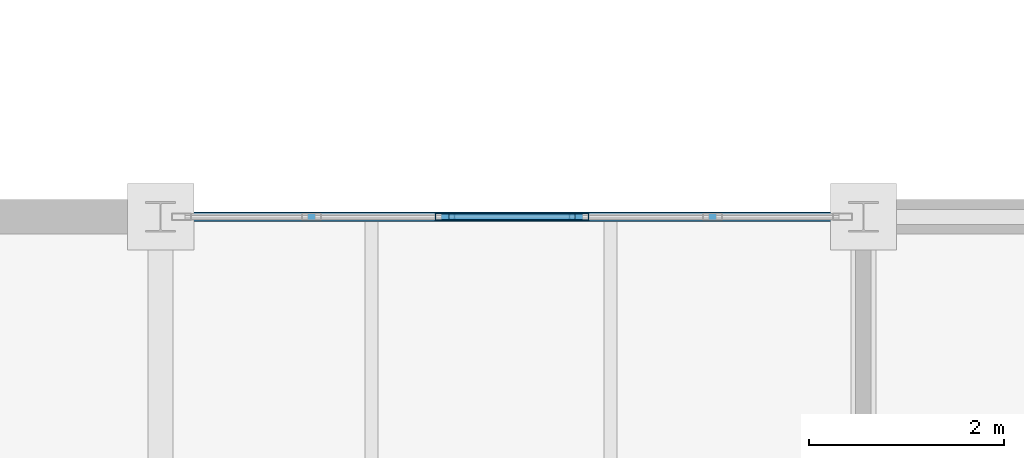
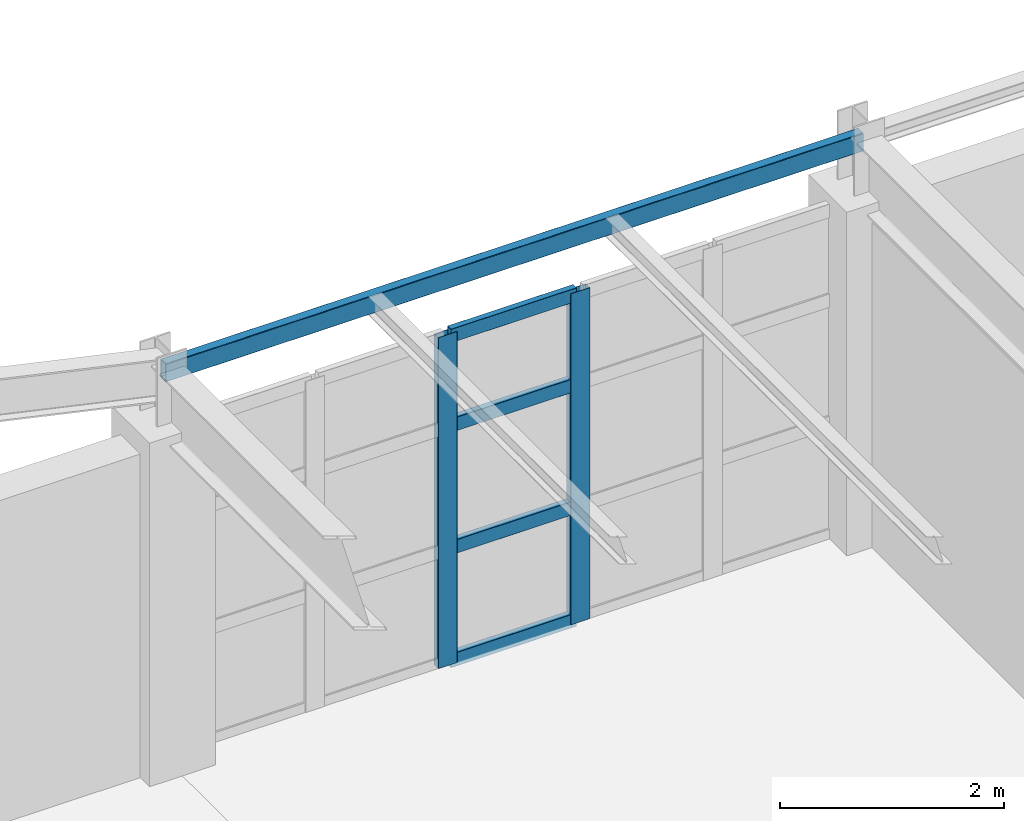
# One storey, part 91 of 137: 6 members, 1 beam, 1 element without a shape of its own.
"""IFC4 building model written with IfcOpenShell, lengths in metres."""

from ifc_helpers import new_model, si_unit, direction, frame, origin, origin_2d, place, context, subcontext, project, spatial, hollow_rectangle, extrude, material, layer, layer_set, material_profile, profile_set, type_object, element, aggregate, save


model = new_model("IFC4")

# Units and contexts
model_context = context("Model", 3, precision=1e-05, world=origin(), true_north=direction((0.0, 1.0)))
body_context = subcontext(model_context, "Body", "Model", "MODEL_VIEW")
ifc_project = project(units=[si_unit("LENGTHUNIT", "METRE"), si_unit("AREAUNIT", "SQUARE_METRE"), si_unit("VOLUMEUNIT", "CUBIC_METRE"), si_unit("PLANEANGLEUNIT", "RADIAN"), si_unit("MASSUNIT", "GRAM", prefix="KILO")], contexts=[model_context])

# Site, building, storey
site_placement = place(None, origin())
site = spatial("IfcSite", under=ifc_project, at=site_placement, CompositionType="ELEMENT")
building_placement = place(site_placement, origin())
building = spatial("IfcBuilding", under=site, at=building_placement, Name="Kemerveld Promenade Tramway Depot", CompositionType="ELEMENT")
storey_placement = place(building_placement, frame((0.0, 0.0, 5.39990234375)))
storey = spatial("IfcBuildingStorey", under=building, at=storey_placement, Name="L01", CompositionType="ELEMENT", Elevation=5.39990234375)

# Beam
ifc_material_1 = material(Name="Steel S355", Category="steel")
ifc_material_profile_1 = material_profile(ifc_material_1, hollow_rectangle(XDim=0.10009765625, YDim=0.199951171875, WallThickness=0.008056640625, InnerFilletRadius=0.00390625, OuterFilletRadius=0.011962890625, at=origin_2d()), Name="200x100x8.0 RHS")
ifc_profile_set_1 = profile_set([ifc_material_profile_1], Name="Steel S355")
beam_type = type_object("IfcBeamType", Name="BM-LN1", PredefinedType="LINTEL", material=ifc_profile_set_1)
beam_placement = place(storey_placement, frame((187.199951171875, 50.39990234375, 4.22021484375), z_axis=(1.0, 0.0, 0.0), x_axis=(0.0, 1.0, 0.0)))
element("IfcBeam", 1, at=beam_placement, inside=storey, type_object=beam_type, Name="BMX-L01-27-28-H", PredefinedType="LINTEL", context=body_context, shape_type="SweptSolid", body=[
    extrude(hollow_rectangle(XDim=0.10009765625, YDim=0.199951171875, WallThickness=0.008056640625, InnerFilletRadius=0.00390625, OuterFilletRadius=0.011962890625, at=origin_2d()), origin(), (0.0, 0.0, 1.0), 7.199951171875),
])

# Curtain wall, members
ifc_material_2 = material(Name="Bronze anodised aluminium and solar glass", Category="aluminium")
ifc_layer = layer(ifc_material_2, 0.199951171875)
ifc_layer_set = layer_set([ifc_layer], Name="CW-SYS-08")
curtain_wall_type = type_object("IfcCurtainWallType", Name="CW-SYS-08", PredefinedType="USERDEFINED", material=ifc_layer_set)
curtain_wall_placement = place(storey_placement, origin())
curtain_wall = element("IfcCurtainWall", 2, at=curtain_wall_placement, inside=storey, type_object=curtain_wall_type, Name="CW-L01-V2N-05", ObjectType="GLAZED_CURTAIN_WALL", PredefinedType="USERDEFINED")
ifc_material_3 = material(Name="Bronze anodised aluminium", Category="aluminium")
ifc_material_profile_2 = material_profile(ifc_material_3, hollow_rectangle(XDim=0.074951171875, YDim=0.199951171875, WallThickness=0.0048828125, InnerFilletRadius=0.001953125, OuterFilletRadius=0.0048828125, at=origin_2d()), Name="CW-MUL-200x75")
ifc_profile_set_2 = profile_set([ifc_material_profile_2], Name="Bronze anodised aluminium")
member_type_1 = type_object("IfcMemberType", Name="CW-MUL-B", PredefinedType="MULLION", material=ifc_profile_set_2)
member_1_placement = place(storey_placement, frame((190.115478515625, 50.39990234375, 0.0), z_axis=(0.0, 0.0, 1.0), x_axis=(0.0, 1.0, 0.0)))
member_1 = element("IfcMember", 3, at=member_1_placement, type_object=member_type_1, Name="CW08 mullion 3", PredefinedType="MULLION", context=body_context, shape_type="SweptSolid", body=[
    extrude(hollow_rectangle(XDim=0.074951171875, YDim=0.199951171875, WallThickness=0.0048828125, InnerFilletRadius=0.001953125, OuterFilletRadius=0.0048828125, at=origin_2d()), origin(), (0.0, 0.0, 1.0), 3.61279296875),
])
member_2_placement = place(storey_placement, frame((191.484619140625, 50.39990234375, 0.0), z_axis=(0.0, 0.0, 1.0), x_axis=(0.0, 1.0, 0.0)))
member_2 = element("IfcMember", 4, at=member_2_placement, type_object=member_type_1, Name="CW08 mullion 4", PredefinedType="MULLION", context=body_context, shape_type="SweptSolid", body=[
    extrude(hollow_rectangle(XDim=0.074951171875, YDim=0.199951171875, WallThickness=0.0048828125, InnerFilletRadius=0.001953125, OuterFilletRadius=0.0048828125, at=origin_2d()), origin(), (0.0, 0.0, 1.0), 3.61279296875),
])
ifc_material_profile_3 = material_profile(ifc_material_3, hollow_rectangle(XDim=0.06494140625, YDim=0.14990234375, WallThickness=0.00439453125, InnerFilletRadius=0.001953125, OuterFilletRadius=0.00439453125, at=origin_2d()), Name="CW-TRN-150x65")
ifc_profile_set_3 = profile_set([ifc_material_profile_3], Name="Bronze anodised aluminium")
member_type_2 = type_object("IfcMemberType", Name="CW-TRN-B", PredefinedType="USERDEFINED", material=ifc_profile_set_3)
member_3_placement = place(storey_placement, frame((190.15283203125, 50.39990234375, 0.03271484375), z_axis=(1.0, 0.0, 0.0), x_axis=(0.0, 1.0, 0.0)))
member_3 = element("IfcMember", 5, at=member_3_placement, type_object=member_type_2, Name="CW08 transom 3.1", ObjectType="TRANSOM", PredefinedType="USERDEFINED", context=body_context, shape_type="SweptSolid", body=[
    extrude(hollow_rectangle(XDim=0.06494140625, YDim=0.14990234375, WallThickness=0.00439453125, InnerFilletRadius=0.001953125, OuterFilletRadius=0.00439453125, at=origin_2d()), origin(), (0.0, 0.0, 1.0), 1.294189453125),
])
member_4_placement = place(storey_placement, frame((190.15283203125, 50.39990234375, 1.26416015625), z_axis=(1.0, 0.0, 0.0), x_axis=(0.0, 1.0, 0.0)))
member_4 = element("IfcMember", 6, at=member_4_placement, type_object=member_type_2, Name="CW08 transom 3.2", ObjectType="TRANSOM", PredefinedType="USERDEFINED", context=body_context, shape_type="SweptSolid", body=[
    extrude(hollow_rectangle(XDim=0.06494140625, YDim=0.14990234375, WallThickness=0.00439453125, InnerFilletRadius=0.001953125, OuterFilletRadius=0.00439453125, at=origin_2d()), origin(), (0.0, 0.0, 1.0), 1.294189453125),
])
member_5_placement = place(storey_placement, frame((190.15283203125, 50.39990234375, 2.60107421875), z_axis=(1.0, 0.0, 0.0), x_axis=(0.0, 1.0, 0.0)))
member_5 = element("IfcMember", 7, at=member_5_placement, type_object=member_type_2, Name="CW08 transom 3.3", ObjectType="TRANSOM", PredefinedType="USERDEFINED", context=body_context, shape_type="SweptSolid", body=[
    extrude(hollow_rectangle(XDim=0.06494140625, YDim=0.14990234375, WallThickness=0.00439453125, InnerFilletRadius=0.001953125, OuterFilletRadius=0.00439453125, at=origin_2d()), origin(), (0.0, 0.0, 1.0), 1.294189453125),
])
member_6_placement = place(storey_placement, frame((190.15283203125, 50.39990234375, 3.580078125), z_axis=(1.0, 0.0, 0.0), x_axis=(0.0, 1.0, 0.0)))
member_6 = element("IfcMember", 8, at=member_6_placement, type_object=member_type_2, Name="CW08 transom 3.4", ObjectType="TRANSOM", PredefinedType="USERDEFINED", context=body_context, shape_type="SweptSolid", body=[
    extrude(hollow_rectangle(XDim=0.06494140625, YDim=0.14990234375, WallThickness=0.00439453125, InnerFilletRadius=0.001953125, OuterFilletRadius=0.00439453125, at=origin_2d()), origin(), (0.0, 0.0, 1.0), 1.294189453125),
])
aggregate(curtain_wall, [member_1, member_2, member_3, member_4, member_5, member_6])

save(model, "model.ifc")
